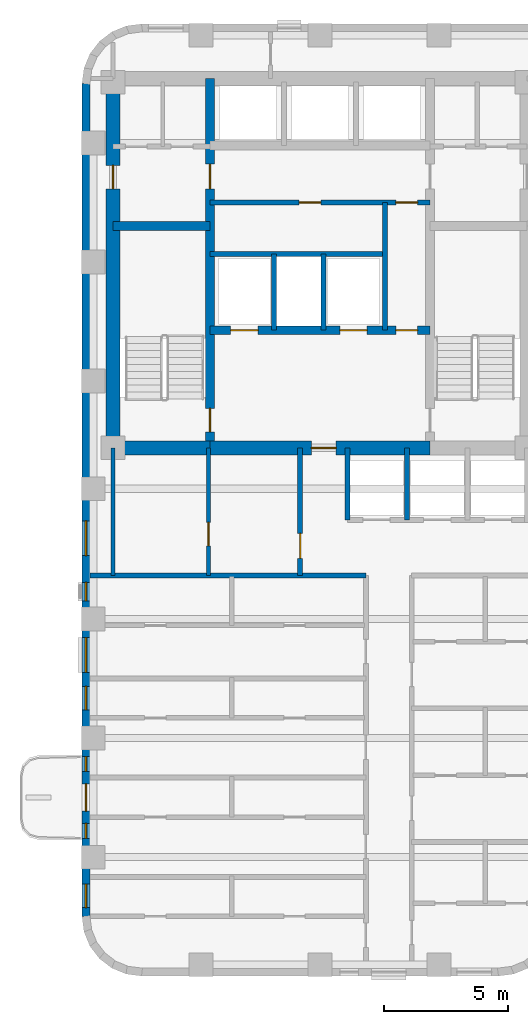
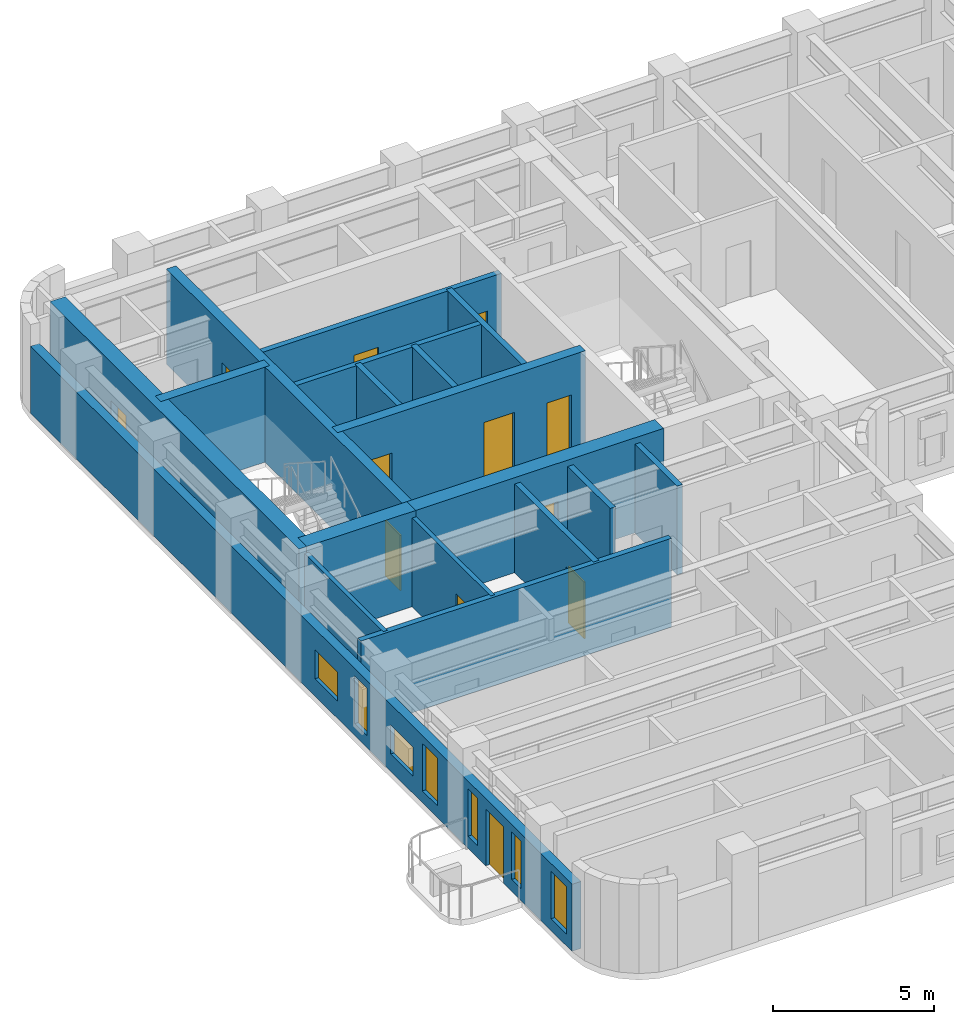
# One storey, part 4 of 10: 18 walls, 12 doors, 7 windows, 19 openings.
"""IFC4 building model written with IfcOpenShell, lengths in metres."""

from ifc_helpers import new_model, si_unit, direction, frame, frame_2d, origin, place, context, subcontext, project, spatial, rectangle, extrude, material, layer, layer_set, type_object, element, fill, save


model = new_model("IFC4")

# Units and contexts
model_context = context("Model", 3, precision=1e-05, world=origin(), true_north=direction((0.0, 1.0)))
body_context = subcontext(model_context, "Body", "Model", "MODEL_VIEW")
ifc_project = project(units=[si_unit("LENGTHUNIT", "METRE"), si_unit("AREAUNIT", "SQUARE_METRE"), si_unit("VOLUMEUNIT", "CUBIC_METRE"), si_unit("PLANEANGLEUNIT", "RADIAN"), si_unit("MASSUNIT", "GRAM", prefix="KILO")], contexts=[model_context])

# Site, building, storey
site_placement = place(None, origin())
site = spatial("IfcSite", under=ifc_project, at=site_placement, CompositionType="ELEMENT")
building_placement = place(site_placement, origin())
building = spatial("IfcBuilding", under=site, at=building_placement, Name="Orvandelia Arch Residences", CompositionType="ELEMENT")
storey_placement = place(building_placement, frame((0.0, 0.0, 110.800048828125)))
storey = spatial("IfcBuildingStorey", under=building, at=storey_placement, Name="L28", CompositionType="ELEMENT", Elevation=110.800048828125)

# Wall, openings, doors
ifc_material_1 = material(Name="Concrete C50/60", Category="concrete")
ifc_layer_1 = layer(ifc_material_1, 0.35009765625, Name="Concrete C50/60", Category="concrete")
ifc_layer_set_1 = layer_set([ifc_layer_1], Name="Concrete C50/60")
wall_type_1 = type_object("IfcWallType", Name="WL-CORE-350", PredefinedType="SHEAR", material=ifc_layer_set_1)
wall_1_placement = place(storey_placement, frame((9.9599609375, 30.89990234375, 0.0), z_axis=(0.0, 0.0, 1.0), x_axis=(0.0, 1.0, 0.0)))
wall_1 = element("IfcWall", 1, at=wall_1_placement, inside=storey, type_object=wall_type_1, Name="Core Shear Wall L28-WEB1", PredefinedType="SHEAR", context=body_context, shape_type="SweptSolid", body=[
    extrude(rectangle(XDim=14.900146484375, YDim=0.35009765625, at=frame_2d((7.4501953125, 0.0))), origin(), (0.0, 0.0, 1.0), 3.599853515625),
])
opening_1_placement = place(wall_1_placement, frame((0.64990234375, 0.0, 0.0)))
opening_1 = element("IfcOpeningElement", 2, at=opening_1_placement, cuts=wall_1, Name="Opening D7", PredefinedType="OPENING", context=body_context, shape_type="SweptSolid", body=[
    extrude(rectangle(XDim=0.949951171875, YDim=2.10009765625, at=frame_2d((0.47509765625, 1.050048828125))), frame((0.0, 0.18505859375, 0.0), z_axis=(0.0, -1.0, 0.0), x_axis=(1.0, 0.0, 0.0)), (0.0, 0.0, 1.0), 0.3701171875),
])
opening_2_placement = place(wall_1_placement, frame((10.449951171875, 0.0, 0.0)))
opening_2 = element("IfcOpeningElement", 3, at=opening_2_placement, cuts=wall_1, Name="Opening D6", PredefinedType="OPENING", context=body_context, shape_type="SweptSolid", body=[
    extrude(rectangle(XDim=1.0, YDim=2.14990234375, at=frame_2d((0.5, 1.074951171875))), frame((0.0, 0.18505859375, 0.0), z_axis=(0.0, -1.0, 0.0), x_axis=(1.0, 0.0, 0.0)), (0.0, 0.0, 1.0), 0.3701171875),
])
ifc_material_2 = material(Name="Smokeproof Painted Steel Fire Door", Category="steel")
door_type_1 = type_object("IfcDoorType", Name="DR-FD60-1000", OperationType="NOTDEFINED", PredefinedType="DOOR", material=ifc_material_2)
door_1_placement = place(opening_2_placement, origin())
door_1 = element("IfcDoor", 4, at=door_1_placement, inside=storey, type_object=door_type_1, Name="High-Rise Lift Hall West Vestibule Door L28", OperationType="SINGLE_SWING_LEFT", OverallHeight=2.14990234375, OverallWidth=1.0, PredefinedType="DOOR", context=body_context, shape_type="SweptSolid", body=[
    extrude(rectangle(XDim=1.0, YDim=2.14990234375, at=frame_2d((0.5, 1.074951171875))), frame((0.0, 0.02490234375, 0.0), z_axis=(0.0, -1.0, 0.0), x_axis=(1.0, 0.0, 0.0)), (0.0, 0.0, 1.0), 0.050048828125),
])
fill(opening_2, door_1)
ifc_material_3 = material(Name="Pressurised Stairwell Fire Door")
door_type_2 = type_object("IfcDoorType", Name="DR-STAIR-950", OperationType="NOTDEFINED", PredefinedType="DOOR", material=ifc_material_3)
door_2_placement = place(opening_1_placement, origin())
door_2 = element("IfcDoor", 5, at=door_2_placement, inside=storey, type_object=door_type_2, Name="Stairwell ST-1 Fire Door L28", OperationType="SINGLE_SWING_LEFT", OverallHeight=2.10009765625, OverallWidth=0.949951171875, PredefinedType="DOOR", context=body_context, shape_type="SweptSolid", body=[
    extrude(rectangle(XDim=0.949951171875, YDim=2.10009765625, at=frame_2d((0.47509765625, 1.050048828125))), frame((0.0, 0.02490234375, 0.0), z_axis=(0.0, -1.0, 0.0), x_axis=(1.0, 0.0, 0.0)), (0.0, 0.0, 1.0), 0.050048828125),
])
fill(opening_1, door_2)

# Wall
wall_2_placement = place(storey_placement, frame((6.050048828125, 39.85009765625, 0.0), z_axis=(0.0, 0.0, 1.0), x_axis=(1.0, 0.0, 0.0)))
element("IfcWall", 6, at=wall_2_placement, inside=storey, type_object=wall_type_1, Name="Core Shear Wall L28-HZ1", PredefinedType="SHEAR", context=body_context, shape_type="SweptSolid", body=[
    extrude(rectangle(XDim=3.909912109375, YDim=0.35009765625, at=frame_2d((1.955078125, 0.0))), origin(), (0.0, 0.0, 1.0), 3.599853515625),
])

# Wall, openings, doors
wall_3_placement = place(storey_placement, frame((9.9599609375, 35.64990234375, 0.0), z_axis=(0.0, 0.0, 1.0), x_axis=(1.0, 0.0, 0.0)))
wall_3 = element("IfcWall", 7, at=wall_3_placement, inside=storey, type_object=wall_type_1, Name="Core Shear Wall L28-HZ3", PredefinedType="SHEAR", context=body_context, shape_type="SweptSolid", body=[
    extrude(rectangle(XDim=8.880126953125, YDim=0.35009765625, at=frame_2d((4.43994140625, 0.0))), origin(), (0.0, 0.0, 1.0), 3.599853515625),
])
opening_3_placement = place(wall_3_placement, frame((0.840087890625, 0.0, 0.0)))
opening_3 = element("IfcOpeningElement", 8, at=opening_3_placement, cuts=wall_3, Name="Opening FLD", PredefinedType="OPENING", context=body_context, shape_type="SweptSolid", body=[
    extrude(rectangle(XDim=1.10009765625, YDim=2.14990234375, at=frame_2d((0.550048828125, 1.074951171875))), frame((0.0, 0.18505859375, 0.0), z_axis=(0.0, -1.0, 0.0), x_axis=(1.0, 0.0, 0.0)), (0.0, 0.0, 1.0), 0.3701171875),
])
opening_4_placement = place(wall_3_placement, frame((5.239990234375, 0.0, 0.0)))
opening_4 = element("IfcOpeningElement", 9, at=opening_4_placement, cuts=wall_3, Name="Opening FLD", PredefinedType="OPENING", context=body_context, shape_type="SweptSolid", body=[
    extrude(rectangle(XDim=1.10009765625, YDim=2.14990234375, at=frame_2d((0.550048828125, 1.074951171875))), frame((0.0, 0.18505859375, 0.0), z_axis=(0.0, -1.0, 0.0), x_axis=(1.0, 0.0, 0.0)), (0.0, 0.0, 1.0), 0.3701171875),
])
opening_5_placement = place(wall_3_placement, frame((7.5, 0.0, 0.0)))
opening_5 = element("IfcOpeningElement", 10, at=opening_5_placement, cuts=wall_3, Name="Opening D5", PredefinedType="OPENING", context=body_context, shape_type="SweptSolid", body=[
    extrude(rectangle(XDim=0.8798828125, YDim=2.10009765625, at=frame_2d((0.43994140625, 1.050048828125))), frame((0.0, 0.18505859375, 0.0), z_axis=(0.0, -1.0, 0.0), x_axis=(1.0, 0.0, 0.0)), (0.0, 0.0, 1.0), 0.3701171875),
])
ifc_material_4 = material(Name="Firefighting Lift Stainless Sliding Door")
door_type_3 = type_object("IfcDoorType", Name="DR-FLFT-1100", OperationType="NOTDEFINED", PredefinedType="DOOR", material=ifc_material_4)
door_3_placement = place(opening_3_placement, origin())
door_3 = element("IfcDoor", 11, at=door_3_placement, inside=storey, type_object=door_type_3, Name="Firefighting Lift Landing Door FLD-FL1-L28", OperationType="SLIDING_TO_LEFT", OverallHeight=2.14990234375, OverallWidth=1.10009765625, PredefinedType="DOOR", context=body_context, shape_type="SweptSolid", body=[
    extrude(rectangle(XDim=1.10009765625, YDim=2.14990234375, at=frame_2d((0.550048828125, 1.074951171875))), frame((0.0, 0.02490234375, 0.0), z_axis=(0.0, -1.0, 0.0), x_axis=(1.0, 0.0, 0.0)), (0.0, 0.0, 1.0), 0.050048828125),
])
fill(opening_3, door_3)
door_4_placement = place(opening_4_placement, origin())
door_4 = element("IfcDoor", 12, at=door_4_placement, inside=storey, type_object=door_type_3, Name="Firefighting Lift Landing Door FLD-FL2-L28", OperationType="SLIDING_TO_RIGHT", OverallHeight=2.14990234375, OverallWidth=1.10009765625, PredefinedType="DOOR", context=body_context, shape_type="SweptSolid", body=[
    extrude(rectangle(XDim=1.10009765625, YDim=2.14990234375, at=frame_2d((0.550048828125, 1.074951171875))), frame((0.0, 0.02490234375, 0.0), z_axis=(0.0, -1.0, 0.0), x_axis=(1.0, 0.0, 0.0)), (0.0, 0.0, 1.0), 0.050048828125),
])
fill(opening_4, door_4)
ifc_material_5 = material(Name="Painted Galvanised Steel Service Door", Category="steel")
door_type_4 = type_object("IfcDoorType", Name="DR-SRV-880", OperationType="NOTDEFINED", PredefinedType="DOOR", material=ifc_material_5)
door_5_placement = place(opening_5_placement, origin())
door_5 = element("IfcDoor", 13, at=door_5_placement, inside=storey, type_object=door_type_4, Name="Core Stairway Passage South Fire Door L28", OperationType="SINGLE_SWING_LEFT", OverallHeight=2.10009765625, OverallWidth=0.8798828125, PredefinedType="DOOR", context=body_context, shape_type="SweptSolid", body=[
    extrude(rectangle(XDim=0.8798828125, YDim=2.10009765625, at=frame_2d((0.43994140625, 1.050048828125))), frame((0.0, 0.02490234375, 0.0), z_axis=(0.0, -1.0, 0.0), x_axis=(1.0, 0.0, 0.0)), (0.0, 0.0, 1.0), 0.050048828125),
])
fill(opening_5, door_5)

# Wall, opening, door
ifc_material_6 = material(Name="Concrete C60/75", Category="concrete")
ifc_layer_2 = layer(ifc_material_6, 0.550048828125, Name="Concrete C60/75", Category="concrete")
ifc_layer_set_2 = layer_set([ifc_layer_2], Name="Concrete C60/75")
wall_type_2 = type_object("IfcWallType", Name="WL-CORE-550", PredefinedType="SHEAR", material=ifc_layer_set_2)
wall_4_placement = place(storey_placement, frame((6.050048828125, 30.625, 0.0), z_axis=(0.0, 0.0, 1.0), x_axis=(0.0, 1.0, 0.0)))
wall_4 = element("IfcWall", 14, at=wall_4_placement, inside=storey, type_object=wall_type_2, Name="Core Shear Wall L28-W", PredefinedType="SHEAR", context=body_context, shape_type="SweptSolid", body=[
    extrude(rectangle(XDim=15.449951171875, YDim=0.550048828125, at=frame_2d((7.72509765625, 0.0))), origin(), (0.0, 0.0, 1.0), 3.599853515625),
])
opening_6_placement = place(wall_4_placement, frame((10.72509765625, 0.0, 0.0)))
opening_6 = element("IfcOpeningElement", 15, at=opening_6_placement, cuts=wall_4, Name="Opening D2", PredefinedType="OPENING", context=body_context, shape_type="SweptSolid", body=[
    extrude(rectangle(XDim=0.949951171875, YDim=2.14990234375, at=frame_2d((0.47509765625, 1.074951171875))), frame((0.0, 0.28515625, 0.0), z_axis=(0.0, -1.0, 0.0), x_axis=(1.0, 0.0, 0.0)), (0.0, 0.0, 1.0), 0.570068359375),
])
ifc_material_7 = material(Name="Solid-Core Timber Interior Fire Door", Category="wood")
door_type_5 = type_object("IfcDoorType", Name="DR-APT-950", OperationType="NOTDEFINED", PredefinedType="DOOR", material=ifc_material_7)
door_6_placement = place(opening_6_placement, origin())
door_6 = element("IfcDoor", 16, at=door_6_placement, inside=storey, type_object=door_type_5, Name="West Viewing Study Door L28", OperationType="SINGLE_SWING_RIGHT", OverallHeight=2.14990234375, OverallWidth=0.949951171875, PredefinedType="DOOR", context=body_context, shape_type="SweptSolid", body=[
    extrude(rectangle(XDim=0.949951171875, YDim=2.14990234375, at=frame_2d((0.47509765625, 1.074951171875))), frame((0.0, 0.02490234375, 0.0), z_axis=(0.0, -1.0, 0.0), x_axis=(1.0, 0.0, 0.0)), (0.0, 0.0, 1.0), 0.050048828125),
])
fill(opening_6, door_6)

# Wall
wall_5_placement = place(storey_placement, frame((6.050048828125, 30.89990234375, 0.0), z_axis=(0.0, 0.0, 1.0), x_axis=(1.0, 0.0, 0.0)))
element("IfcWall", 17, at=wall_5_placement, inside=storey, type_object=wall_type_2, Name="Core Shear Wall L28-SW", PredefinedType="SHEAR", context=body_context, shape_type="SweptSolid", body=[
    extrude(rectangle(XDim=3.909912109375, YDim=0.550048828125, at=frame_2d((1.955078125, 0.0))), origin(), (0.0, 0.0, 1.0), 3.599853515625),
])

# Wall, opening, door
wall_6_placement = place(storey_placement, frame((9.9599609375, 30.89990234375, 0.0), z_axis=(0.0, 0.0, 1.0), x_axis=(1.0, 0.0, 0.0)))
wall_6 = element("IfcWall", 18, at=wall_6_placement, inside=storey, type_object=wall_type_2, Name="Core Shear Wall L28-SM", PredefinedType="SHEAR", context=body_context, shape_type="SweptSolid", body=[
    extrude(rectangle(XDim=8.880126953125, YDim=0.550048828125, at=frame_2d((4.43994140625, 0.0))), origin(), (0.0, 0.0, 1.0), 3.599853515625),
])
opening_7_placement = place(wall_6_placement, frame((4.090087890625, 0.0, 0.0)))
opening_7 = element("IfcOpeningElement", 19, at=opening_7_placement, cuts=wall_6, Name="Opening D6", PredefinedType="OPENING", context=body_context, shape_type="SweptSolid", body=[
    extrude(rectangle(XDim=1.0, YDim=2.14990234375, at=frame_2d((0.5, 1.074951171875))), frame((0.0, 0.28515625, 0.0), z_axis=(0.0, -1.0, 0.0), x_axis=(1.0, 0.0, 0.0)), (0.0, 0.0, 1.0), 0.570068359375),
])
door_7_placement = place(opening_7_placement, origin())
door_7 = element("IfcDoor", 20, at=door_7_placement, inside=storey, type_object=door_type_1, Name="Firefighting Lobby Smokeproof Door L28", OperationType="SINGLE_SWING_LEFT", OverallHeight=2.14990234375, OverallWidth=1.0, PredefinedType="DOOR", context=body_context, shape_type="SweptSolid", body=[
    extrude(rectangle(XDim=1.0, YDim=2.14990234375, at=frame_2d((0.5, 1.074951171875))), frame((0.0, 0.02490234375, 0.0), z_axis=(0.0, -1.0, 0.0), x_axis=(1.0, 0.0, 0.0)), (0.0, 0.0, 1.0), 0.050048828125),
])
fill(opening_7, door_7)

# Wall
ifc_material_8 = material(Name="Fire-Rated Corridor Partition")
ifc_layer_3 = layer(ifc_material_8, 0.199951171875, Name="Fire-Rated Corridor Partition")
ifc_layer_set_3 = layer_set([ifc_layer_3], Name="Fire-Rated Corridor Partition")
wall_type_3 = type_object("IfcWallType", Name="WL-CORR-200", PredefinedType="PARTITIONING", material=ifc_layer_set_3)
wall_7_placement = place(storey_placement, frame((5.1201171875, 25.75, 0.0), z_axis=(0.0, 0.0, 1.0), x_axis=(1.0, 0.0, 0.0)))
element("IfcWall", 21, at=wall_7_placement, inside=storey, type_object=wall_type_3, Name="Interior Partition Wall WL-L28-WCLS-W", PredefinedType="PARTITIONING", context=body_context, shape_type="SweptSolid", body=[
    extrude(rectangle(XDim=11.1298828125, YDim=0.199951171875, at=frame_2d((5.56494140625, 0.0))), origin(), (0.0, 0.0, 1.0), 3.35986328125),
])

# Wall, openings, door, windows
ifc_material_9 = material(Name="Precast concrete C40/50", Category="concrete")
ifc_layer_4 = layer(ifc_material_9, 0.320068359375, Name="Precast concrete C40/50", Category="concrete")
ifc_layer_set_4 = layer_set([ifc_layer_4], Name="Precast concrete C40/50")
wall_type_4 = type_object("IfcWallType", Name="WL-EXT-STONE-320", PredefinedType="STANDARD", material=ifc_layer_set_4)
wall_8_placement = place(storey_placement, frame((4.9599609375, 12.0, 0.0), z_axis=(0.0, 0.0, 1.0), x_axis=(0.0, 1.0, 0.0)))
wall_8 = element("IfcWall", 22, at=wall_8_placement, inside=storey, type_object=wall_type_4, Name="Coral-Limestone Precast Facade Wall L28-042", PredefinedType="STANDARD", context=body_context, shape_type="SweptSolid", body=[
    extrude(rectangle(XDim=33.60009765625, YDim=0.320068359375, at=frame_2d((16.800048828125, 0.0))), origin(), (0.0, 0.0, 1.0), 2.5400390625),
])
opening_8_placement = place(wall_8_placement, frame((4.25, 0.0, 0.0)))
opening_8 = element("IfcOpeningElement", 23, at=opening_8_placement, cuts=wall_8, Name="Opening BD1", PredefinedType="OPENING", context=body_context, shape_type="SweptSolid", body=[
    extrude(rectangle(XDim=1.10009765625, YDim=2.14990234375, at=frame_2d((0.550048828125, 1.074951171875))), frame((0.0, 0.169921875, 0.0), z_axis=(0.0, -1.0, 0.0), x_axis=(1.0, 0.0, 0.0)), (0.0, 0.0, 1.0), 0.340087890625),
])
opening_9_placement = place(wall_8_placement, frame((3.152587890625, 0.0, 0.449951171875)))
opening_9 = element("IfcOpeningElement", 24, at=opening_9_placement, cuts=wall_8, Name="Opening W12", PredefinedType="OPENING", context=body_context, shape_type="SweptSolid", body=[
    extrude(rectangle(XDim=0.60009765625, YDim=1.800048828125, at=frame_2d((0.300048828125, 0.89990234375))), frame((0.0, 0.169921875, 0.0), z_axis=(0.0, -1.0, 0.0), x_axis=(1.0, 0.0, 0.0)), (0.0, 0.0, 1.0), 0.340087890625),
])
opening_10_placement = place(wall_8_placement, frame((5.8525390625, 0.0, 0.449951171875)))
opening_10 = element("IfcOpeningElement", 25, at=opening_10_placement, cuts=wall_8, Name="Opening W12", PredefinedType="OPENING", context=body_context, shape_type="SweptSolid", body=[
    extrude(rectangle(XDim=0.60009765625, YDim=1.800048828125, at=frame_2d((0.300048828125, 0.89990234375))), frame((0.0, 0.169921875, 0.0), z_axis=(0.0, -1.0, 0.0), x_axis=(1.0, 0.0, 0.0)), (0.0, 0.0, 1.0), 0.340087890625),
])
opening_11_placement = place(wall_8_placement, frame((9.8525390625, 0.0, 0.64990234375)))
opening_11 = element("IfcOpeningElement", 26, at=opening_11_placement, cuts=wall_8, Name="Opening W10", PredefinedType="OPENING", context=body_context, shape_type="SweptSolid", body=[
    extrude(rectangle(XDim=1.39990234375, YDim=1.10009765625, at=frame_2d((0.699951171875, 0.550048828125))), frame((0.0, 0.169921875, 0.0), z_axis=(0.0, -1.0, 0.0), x_axis=(1.0, 0.0, 0.0)), (0.0, 0.0, 1.0), 0.340087890625),
])
opening_12_placement = place(wall_8_placement, frame((0.35498046875, 0.0, 0.449951171875)))
opening_12 = element("IfcOpeningElement", 27, at=opening_12_placement, cuts=wall_8, Name="Opening W4", PredefinedType="OPENING", context=body_context, shape_type="SweptSolid", body=[
    extrude(rectangle(XDim=0.949951171875, YDim=1.800048828125, at=frame_2d((0.47509765625, 0.89990234375))), frame((0.0, 0.169921875, 0.0), z_axis=(0.0, -1.0, 0.0), x_axis=(1.0, 0.0, 0.0)), (0.0, 0.0, 1.0), 0.340087890625),
])
opening_13_placement = place(wall_8_placement, frame((8.330078125, 0.0, 0.449951171875)))
opening_13 = element("IfcOpeningElement", 28, at=opening_13_placement, cuts=wall_8, Name="Opening W4", PredefinedType="OPENING", context=body_context, shape_type="SweptSolid", body=[
    extrude(rectangle(XDim=0.949951171875, YDim=1.800048828125, at=frame_2d((0.47509765625, 0.89990234375))), frame((0.0, 0.169921875, 0.0), z_axis=(0.0, -1.0, 0.0), x_axis=(1.0, 0.0, 0.0)), (0.0, 0.0, 1.0), 0.340087890625),
])
opening_14_placement = place(wall_8_placement, frame((12.732421875, 0.0, 0.449951171875)))
opening_14 = element("IfcOpeningElement", 29, at=opening_14_placement, cuts=wall_8, Name="Opening W11", PredefinedType="OPENING", context=body_context, shape_type="SweptSolid", body=[
    extrude(rectangle(XDim=0.75, YDim=1.800048828125, at=frame_2d((0.375, 0.89990234375))), frame((0.0, 0.169921875, 0.0), z_axis=(0.0, -1.0, 0.0), x_axis=(1.0, 0.0, 0.0)), (0.0, 0.0, 1.0), 0.340087890625),
])
opening_15_placement = place(wall_8_placement, frame((14.5576171875, 0.0, 0.64990234375)))
opening_15 = element("IfcOpeningElement", 30, at=opening_15_placement, cuts=wall_8, Name="Opening W10", PredefinedType="OPENING", context=body_context, shape_type="SweptSolid", body=[
    extrude(rectangle(XDim=1.39990234375, YDim=1.10009765625, at=frame_2d((0.699951171875, 0.550048828125))), frame((0.0, 0.169921875, 0.0), z_axis=(0.0, -1.0, 0.0), x_axis=(1.0, 0.0, 0.0)), (0.0, 0.0, 1.0), 0.340087890625),
])
ifc_material_10 = material(Name="Thermally Broken Aluminium Glazed Door", Category="aluminium")
door_type_6 = type_object("IfcDoorType", Name="DR-BAL-GLAZ-1100", OperationType="NOTDEFINED", PredefinedType="DOOR", material=ifc_material_10)
door_8_placement = place(opening_8_placement, origin())
door_8 = element("IfcDoor", 31, at=door_8_placement, inside=storey, type_object=door_type_6, Name="Tree Balcony Glazed Door BAL-L28-W1", OperationType="SINGLE_SWING_RIGHT", OverallHeight=2.14990234375, OverallWidth=1.10009765625, PredefinedType="DOOR", context=body_context, shape_type="SweptSolid", body=[
    extrude(rectangle(XDim=1.10009765625, YDim=2.14990234375, at=frame_2d((0.550048828125, 1.074951171875))), frame((0.0, 0.02490234375, 0.0), z_axis=(0.0, -1.0, 0.0), x_axis=(1.0, 0.0, 0.0)), (0.0, 0.0, 1.0), 0.050048828125),
])
fill(opening_8, door_8)
ifc_material_11 = material(Name="Tempered Low-E Insulated Glazing", Category="glass")
window_type_1 = type_object("IfcWindowType", Name="WIN-BED-0750x1800", PartitioningType="SINGLE_PANEL", PredefinedType="WINDOW", material=ifc_material_11)
window_1_placement = place(opening_14_placement, origin())
window_1 = element("IfcWindow", 32, at=window_1_placement, inside=storey, type_object=window_type_1, Name="Recessed Punched Window L28-027", OverallHeight=1.800048828125, OverallWidth=0.75, PartitioningType="SINGLE_PANEL", PredefinedType="WINDOW", context=body_context, shape_type="SweptSolid", body=[
    extrude(rectangle(XDim=0.75, YDim=1.800048828125, at=frame_2d((0.375, 0.89990234375))), frame((0.0, 0.030029296875, 0.0), z_axis=(0.0, -1.0, 0.0), x_axis=(1.0, 0.0, 0.0)), (0.0, 0.0, 1.0), 0.06005859375),
])
fill(opening_14, window_1)
window_type_2 = type_object("IfcWindowType", Name="WIN-CLR-1400x1100", PartitioningType="SINGLE_PANEL", PredefinedType="WINDOW", material=ifc_material_11)
window_2_placement = place(opening_11_placement, origin())
window_2 = element("IfcWindow", 33, at=window_2_placement, inside=storey, type_object=window_type_2, Name="Recessed Punched Window L28-024", OverallHeight=1.10009765625, OverallWidth=1.39990234375, PartitioningType="SINGLE_PANEL", PredefinedType="WINDOW", context=body_context, shape_type="SweptSolid", body=[
    extrude(rectangle(XDim=1.39990234375, YDim=1.10009765625, at=frame_2d((0.699951171875, 0.550048828125))), frame((0.0, 0.030029296875, 0.0), z_axis=(0.0, -1.0, 0.0), x_axis=(1.0, 0.0, 0.0)), (0.0, 0.0, 1.0), 0.06005859375),
])
fill(opening_11, window_2)
window_3_placement = place(opening_15_placement, origin())
window_3 = element("IfcWindow", 34, at=window_3_placement, inside=storey, type_object=window_type_2, Name="Recessed Punched Window L28-028", OverallHeight=1.10009765625, OverallWidth=1.39990234375, PartitioningType="SINGLE_PANEL", PredefinedType="WINDOW", context=body_context, shape_type="SweptSolid", body=[
    extrude(rectangle(XDim=1.39990234375, YDim=1.10009765625, at=frame_2d((0.699951171875, 0.550048828125))), frame((0.0, 0.030029296875, 0.0), z_axis=(0.0, -1.0, 0.0), x_axis=(1.0, 0.0, 0.0)), (0.0, 0.0, 1.0), 0.06005859375),
])
fill(opening_15, window_3)
window_type_3 = type_object("IfcWindowType", Name="WIN-LAN-0600x1800", PartitioningType="SINGLE_PANEL", PredefinedType="WINDOW", material=ifc_material_11)
window_4_placement = place(opening_9_placement, origin())
window_4 = element("IfcWindow", 35, at=window_4_placement, inside=storey, type_object=window_type_3, Name="Recessed Punched Window L28-022", OverallHeight=1.800048828125, OverallWidth=0.60009765625, PartitioningType="SINGLE_PANEL", PredefinedType="WINDOW", context=body_context, shape_type="SweptSolid", body=[
    extrude(rectangle(XDim=0.60009765625, YDim=1.800048828125, at=frame_2d((0.300048828125, 0.89990234375))), frame((0.0, 0.030029296875, 0.0), z_axis=(0.0, -1.0, 0.0), x_axis=(1.0, 0.0, 0.0)), (0.0, 0.0, 1.0), 0.06005859375),
])
fill(opening_9, window_4)
window_5_placement = place(opening_10_placement, origin())
window_5 = element("IfcWindow", 36, at=window_5_placement, inside=storey, type_object=window_type_3, Name="Recessed Punched Window L28-023", OverallHeight=1.800048828125, OverallWidth=0.60009765625, PartitioningType="SINGLE_PANEL", PredefinedType="WINDOW", context=body_context, shape_type="SweptSolid", body=[
    extrude(rectangle(XDim=0.60009765625, YDim=1.800048828125, at=frame_2d((0.300048828125, 0.89990234375))), frame((0.0, 0.030029296875, 0.0), z_axis=(0.0, -1.0, 0.0), x_axis=(1.0, 0.0, 0.0)), (0.0, 0.0, 1.0), 0.06005859375),
])
fill(opening_10, window_5)
window_type_4 = type_object("IfcWindowType", Name="WIN-RES-0950x1800", PartitioningType="SINGLE_PANEL", PredefinedType="WINDOW", material=ifc_material_11)
window_6_placement = place(opening_12_placement, origin())
window_6 = element("IfcWindow", 37, at=window_6_placement, inside=storey, type_object=window_type_4, Name="Recessed Punched Window L28-025", OverallHeight=1.800048828125, OverallWidth=0.949951171875, PartitioningType="SINGLE_PANEL", PredefinedType="WINDOW", context=body_context, shape_type="SweptSolid", body=[
    extrude(rectangle(XDim=0.949951171875, YDim=1.800048828125, at=frame_2d((0.47509765625, 0.89990234375))), frame((0.0, 0.030029296875, 0.0), z_axis=(0.0, -1.0, 0.0), x_axis=(1.0, 0.0, 0.0)), (0.0, 0.0, 1.0), 0.06005859375),
])
fill(opening_12, window_6)
window_7_placement = place(opening_13_placement, origin())
window_7 = element("IfcWindow", 38, at=window_7_placement, inside=storey, type_object=window_type_4, Name="Recessed Punched Window L28-026", OverallHeight=1.800048828125, OverallWidth=0.949951171875, PartitioningType="SINGLE_PANEL", PredefinedType="WINDOW", context=body_context, shape_type="SweptSolid", body=[
    extrude(rectangle(XDim=0.949951171875, YDim=1.800048828125, at=frame_2d((0.47509765625, 0.89990234375))), frame((0.0, 0.030029296875, 0.0), z_axis=(0.0, -1.0, 0.0), x_axis=(1.0, 0.0, 0.0)), (0.0, 0.0, 1.0), 0.06005859375),
])
fill(opening_13, window_7)

# Wall
ifc_material_12 = material(Name="Acoustic Gypsum Stud Partition")
ifc_layer_5 = layer(ifc_material_12, 0.14990234375, Name="Acoustic Gypsum Stud Partition")
ifc_layer_set_5 = layer_set([ifc_layer_5], Name="Acoustic Gypsum Stud Partition")
wall_type_5 = type_object("IfcWallType", Name="WL-PART-150", PredefinedType="PARTITIONING", material=ifc_layer_set_5)
wall_9_placement = place(storey_placement, frame((6.050048828125, 25.75, 0.0), z_axis=(0.0, 0.0, 1.0), x_axis=(0.0, 1.0, 0.0)))
element("IfcWall", 39, at=wall_9_placement, inside=storey, type_object=wall_type_5, Name="Interior Partition Wall WL-L28-B1REUSE-W", PredefinedType="PARTITIONING", context=body_context, shape_type="SweptSolid", body=[
    extrude(rectangle(XDim=5.14990234375, YDim=0.14990234375, at=frame_2d((2.574951171875, 0.0))), origin(), (0.0, 0.0, 1.0), 3.35986328125),
])

# Wall, opening, door
wall_10_placement = place(storey_placement, frame((9.89990234375, 25.75, 0.0), z_axis=(0.0, 0.0, 1.0), x_axis=(0.0, 1.0, 0.0)))
wall_10 = element("IfcWall", 40, at=wall_10_placement, inside=storey, type_object=wall_type_5, Name="Interior Partition Wall WL-L28-B1R-M", PredefinedType="PARTITIONING", context=body_context, shape_type="SweptSolid", body=[
    extrude(rectangle(XDim=5.14990234375, YDim=0.14990234375, at=frame_2d((2.574951171875, 0.0))), origin(), (0.0, 0.0, 1.0), 3.35986328125),
])
opening_16_placement = place(wall_10_placement, frame((1.199951171875, 0.0, 0.0)))
opening_16 = element("IfcOpeningElement", 41, at=opening_16_placement, cuts=wall_10, Name="Opening D2", PredefinedType="OPENING", context=body_context, shape_type="SweptSolid", body=[
    extrude(rectangle(XDim=0.949951171875, YDim=2.14990234375, at=frame_2d((0.47509765625, 1.074951171875))), frame((0.0, 0.0849609375, 0.0), z_axis=(0.0, -1.0, 0.0), x_axis=(1.0, 0.0, 0.0)), (0.0, 0.0, 1.0), 0.169921875),
])
door_9_placement = place(opening_16_placement, origin())
door_9 = element("IfcDoor", 42, at=door_9_placement, inside=storey, type_object=door_type_5, Name="DR-L28-B1RA", OperationType="SINGLE_SWING_RIGHT", OverallHeight=2.14990234375, OverallWidth=0.949951171875, PredefinedType="DOOR", context=body_context, shape_type="SweptSolid", body=[
    extrude(rectangle(XDim=0.949951171875, YDim=2.14990234375, at=frame_2d((0.47509765625, 1.074951171875))), frame((0.0, 0.02490234375, 0.0), z_axis=(0.0, -1.0, 0.0), x_axis=(1.0, 0.0, 0.0)), (0.0, 0.0, 1.0), 0.050048828125),
])
fill(opening_16, door_9)

# Walls
ifc_material_13 = material(Name="Fire-Rated Shaft Enclosure Wall")
ifc_layer_6 = layer(ifc_material_13, 0.199951171875, Name="Fire-Rated Shaft Enclosure Wall")
ifc_layer_set_6 = layer_set([ifc_layer_6], Name="Fire-Rated Shaft Enclosure Wall")
wall_type_6 = type_object("IfcWallType", Name="WL-SHAFT-200", PredefinedType="POLYGONAL", material=ifc_layer_set_6)
wall_11_placement = place(storey_placement, frame((9.9599609375, 38.719970703125, 0.0), z_axis=(0.0, 0.0, 1.0), x_axis=(1.0, 0.0, 0.0)))
element("IfcWall", 43, at=wall_11_placement, inside=storey, type_object=wall_type_6, Name="Interior Partition Wall WL-L28-FLN", PredefinedType="POLYGONAL", context=body_context, shape_type="SweptSolid", body=[
    extrude(rectangle(XDim=7.06005859375, YDim=0.199951171875, at=frame_2d((3.530029296875, 0.0))), origin(), (0.0, 0.0, 1.0), 3.35986328125),
])
for number, where, z_axis, x_axis, name in (
    (44, (12.550048828125, 35.64990234375, 0.0), (0.0, 0.0, 1.0), (0.0, 1.0, 0.0), "Interior Partition Wall WL-L28-FLM1"),
    (45, (14.550048828125, 35.64990234375, 0.0), (0.0, 0.0, 1.0), (0.0, 1.0, 0.0), "Interior Partition Wall WL-L28-FLM2"),
):
    element("IfcWall", number, at=place(storey_placement, frame(where, z_axis=z_axis, x_axis=x_axis)), inside=storey, type_object=wall_type_6, Name=name, PredefinedType="POLYGONAL", context=body_context, shape_type="SweptSolid", body=[
        extrude(rectangle(XDim=3.070068359375, YDim=0.199951171875, at=frame_2d((1.53515625, 0.0))), origin(), (0.0, 0.0, 1.0), 3.35986328125),
    ])
wall_12_placement = place(storey_placement, frame((17.02001953125, 35.64990234375, 0.0), z_axis=(0.0, 0.0, 1.0), x_axis=(0.0, 1.0, 0.0)))
element("IfcWall", 46, at=wall_12_placement, inside=storey, type_object=wall_type_6, Name="Interior Partition Wall WL-L28-FLM3", PredefinedType="POLYGONAL", context=body_context, shape_type="SweptSolid", body=[
    extrude(rectangle(XDim=5.150146484375, YDim=0.199951171875, at=frame_2d((2.5751953125, 0.0))), origin(), (0.0, 0.0, 1.0), 3.35986328125),
])

# Wall, openings, doors
wall_13_placement = place(storey_placement, frame((9.9599609375, 40.800048828125, 0.0), z_axis=(0.0, 0.0, 1.0), x_axis=(1.0, 0.0, 0.0)))
wall_13 = element("IfcWall", 47, at=wall_13_placement, inside=storey, type_object=wall_type_6, Name="Interior Partition Wall WL-L28-HLH-S", PredefinedType="POLYGONAL", context=body_context, shape_type="SweptSolid", body=[
    extrude(rectangle(XDim=8.880126953125, YDim=0.199951171875, at=frame_2d((4.43994140625, 0.0))), origin(), (0.0, 0.0, 1.0), 3.35986328125),
])
opening_17_placement = place(wall_13_placement, frame((7.5, 0.0, 0.0)))
opening_17 = element("IfcOpeningElement", 48, at=opening_17_placement, cuts=wall_13, Name="Opening D5", PredefinedType="OPENING", context=body_context, shape_type="SweptSolid", body=[
    extrude(rectangle(XDim=0.8798828125, YDim=2.10009765625, at=frame_2d((0.43994140625, 1.050048828125))), frame((0.0, 0.10986328125, 0.0), z_axis=(0.0, -1.0, 0.0), x_axis=(1.0, 0.0, 0.0)), (0.0, 0.0, 1.0), 0.219970703125),
])
opening_18_placement = place(wall_13_placement, frame((3.60009765625, 0.0, 0.0)))
opening_18 = element("IfcOpeningElement", 49, at=opening_18_placement, cuts=wall_13, Name="Opening D5", PredefinedType="OPENING", context=body_context, shape_type="SweptSolid", body=[
    extrude(rectangle(XDim=0.8798828125, YDim=2.10009765625, at=frame_2d((0.43994140625, 1.050048828125))), frame((0.0, 0.10986328125, 0.0), z_axis=(0.0, -1.0, 0.0), x_axis=(1.0, 0.0, 0.0)), (0.0, 0.0, 1.0), 0.219970703125),
])
door_10_placement = place(opening_17_placement, origin())
door_10 = element("IfcDoor", 50, at=door_10_placement, inside=storey, type_object=door_type_4, Name="Core Stairway Passage North Fire Door L28", OperationType="SINGLE_SWING_RIGHT", OverallHeight=2.10009765625, OverallWidth=0.8798828125, PredefinedType="DOOR", context=body_context, shape_type="SweptSolid", body=[
    extrude(rectangle(XDim=0.8798828125, YDim=2.10009765625, at=frame_2d((0.43994140625, 1.050048828125))), frame((0.0, 0.02490234375, 0.0), z_axis=(0.0, -1.0, 0.0), x_axis=(1.0, 0.0, 0.0)), (0.0, 0.0, 1.0), 0.050048828125),
])
fill(opening_17, door_10)
door_11_placement = place(opening_18_placement, origin())
door_11 = element("IfcDoor", 51, at=door_11_placement, inside=storey, type_object=door_type_4, Name="DR-L28-CSA1", OperationType="SINGLE_SWING_LEFT", OverallHeight=2.10009765625, OverallWidth=0.8798828125, PredefinedType="DOOR", context=body_context, shape_type="SweptSolid", body=[
    extrude(rectangle(XDim=0.8798828125, YDim=2.10009765625, at=frame_2d((0.43994140625, 1.050048828125))), frame((0.0, 0.02490234375, 0.0), z_axis=(0.0, -1.0, 0.0), x_axis=(1.0, 0.0, 0.0)), (0.0, 0.0, 1.0), 0.050048828125),
])
fill(opening_18, door_11)

# Wall, opening, door
wall_14_placement = place(storey_placement, frame((13.60009765625, 25.75, 0.0), z_axis=(0.0, 0.0, 1.0), x_axis=(0.0, 1.0, 0.0)))
wall_14 = element("IfcWall", 52, at=wall_14_placement, inside=storey, type_object=wall_type_6, Name="Interior Partition Wall WL-L28-B1REUSE-E", PredefinedType="POLYGONAL", context=body_context, shape_type="SweptSolid", body=[
    extrude(rectangle(XDim=5.14990234375, YDim=0.199951171875, at=frame_2d((2.574951171875, 0.0))), origin(), (0.0, 0.0, 1.0), 3.35986328125),
])
opening_19_placement = place(wall_14_placement, frame((0.699951171875, 0.0, 0.0)))
opening_19 = element("IfcOpeningElement", 53, at=opening_19_placement, cuts=wall_14, Name="Opening D6", PredefinedType="OPENING", context=body_context, shape_type="SweptSolid", body=[
    extrude(rectangle(XDim=1.0, YDim=2.14990234375, at=frame_2d((0.5, 1.074951171875))), frame((0.0, 0.10986328125, 0.0), z_axis=(0.0, -1.0, 0.0), x_axis=(1.0, 0.0, 0.0)), (0.0, 0.0, 1.0), 0.219970703125),
])
door_12_placement = place(opening_19_placement, origin())
door_12 = element("IfcDoor", 54, at=door_12_placement, inside=storey, type_object=door_type_1, Name="DR-L28-B1RB", OperationType="SINGLE_SWING_LEFT", OverallHeight=2.14990234375, OverallWidth=1.0, PredefinedType="DOOR", context=body_context, shape_type="SweptSolid", body=[
    extrude(rectangle(XDim=1.0, YDim=2.14990234375, at=frame_2d((0.5, 1.074951171875))), frame((0.0, 0.02490234375, 0.0), z_axis=(0.0, -1.0, 0.0), x_axis=(1.0, 0.0, 0.0)), (0.0, 0.0, 1.0), 0.050048828125),
])
fill(opening_19, door_12)

# Walls
for number, where, z_axis, x_axis, name in (
    (55, (15.5, 28.0, 0.0), (0.0, 0.0, 1.0), (0.0, 1.0, 0.0), "Interior Partition Wall WL-L28-BNKM-W"),
    (56, (17.89990234375, 28.0, 0.0), (0.0, 0.0, 1.0), (0.0, 1.0, 0.0), "Interior Partition Wall WL-L28-BNKMD-1789"),
):
    element("IfcWall", number, at=place(storey_placement, frame(where, z_axis=z_axis, x_axis=x_axis)), inside=storey, type_object=wall_type_6, Name=name, PredefinedType="POLYGONAL", context=body_context, shape_type="SweptSolid", body=[
        extrude(rectangle(XDim=2.89990234375, YDim=0.199951171875, at=frame_2d((1.449951171875, 0.0))), origin(), (0.0, 0.0, 1.0), 3.35986328125),
    ])

save(model, "model.ifc")
